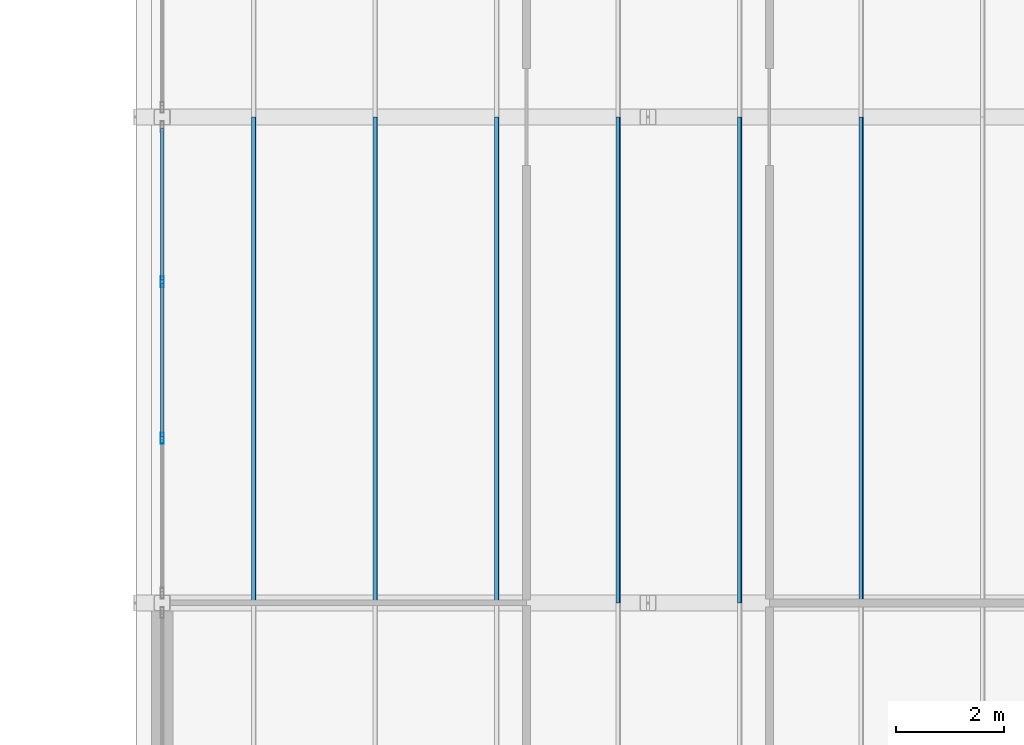
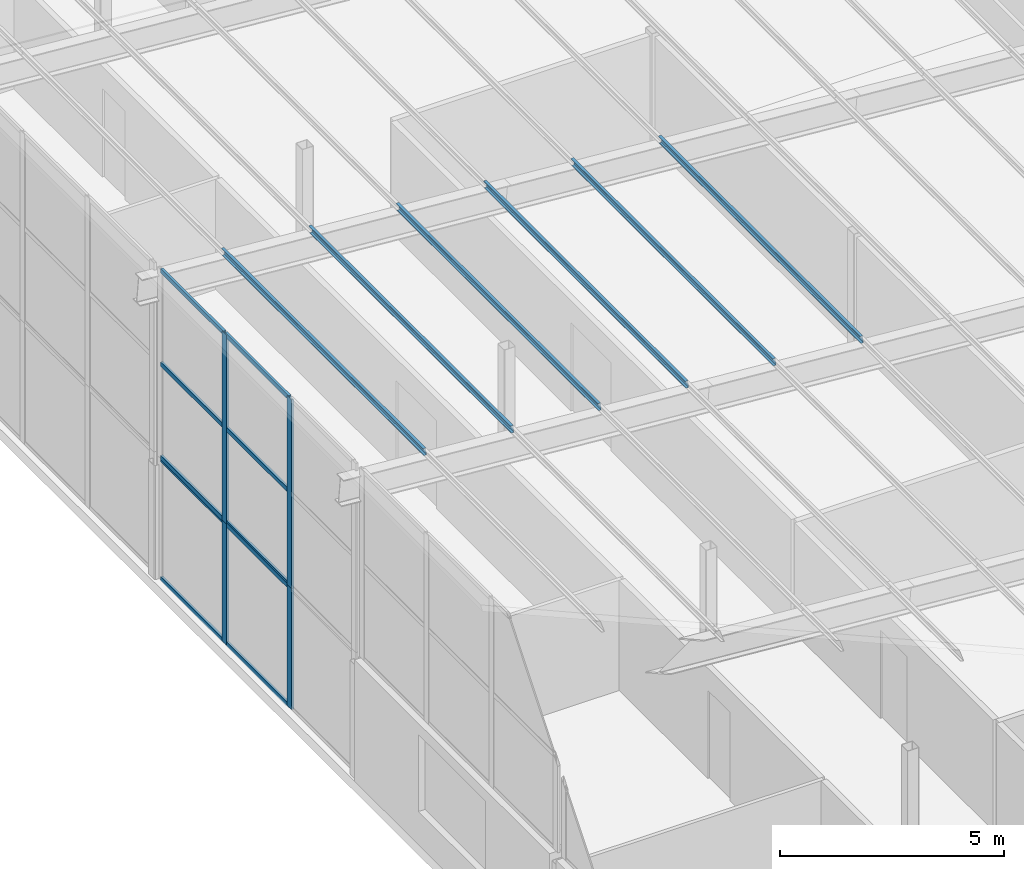
# One storey, part 31 of 85: 20 members, 2 elements without a shape of their own.
"""IFC4 building model written with IfcOpenShell, lengths in metres."""

from ifc_helpers import new_model, si_unit, direction, frame, origin, origin_2d, place, context, subcontext, project, spatial, polyline, hollow_rectangle, outline, extrude, material, layer, layer_set, material_profile, profile_set, type_object, element, aggregate, save


model = new_model("IFC4")

# Units and contexts
model_context = context("Model", 3, precision=1e-05, world=origin(), true_north=direction((0.0, 1.0)))
body_context = subcontext(model_context, "Body", "Model", "MODEL_VIEW")
ifc_project = project(units=[si_unit("LENGTHUNIT", "METRE"), si_unit("AREAUNIT", "SQUARE_METRE"), si_unit("VOLUMEUNIT", "CUBIC_METRE"), si_unit("PLANEANGLEUNIT", "RADIAN"), si_unit("MASSUNIT", "GRAM", prefix="KILO")], contexts=[model_context])

# Site, building, storey
site_placement = place(None, origin())
site = spatial("IfcSite", under=ifc_project, at=site_placement, CompositionType="ELEMENT")
building_placement = place(site_placement, origin())
building = spatial("IfcBuilding", under=site, at=building_placement, Name="Opaline Strait Convention Centre", CompositionType="ELEMENT")
storey_placement = place(building_placement, frame((0.0, 0.0, 17.0)))
storey = spatial("IfcBuildingStorey", under=building, at=storey_placement, Name="L03", CompositionType="ELEMENT", Elevation=17.0)

# Curtain wall, members
ifc_material_1 = material(Name="Aluminium framed double glazing", Category="aluminium")
ifc_layer = layer(ifc_material_1, 0.199951171875)
ifc_layer_set = layer_set([ifc_layer], Name="Aluminium framed double glazing")
curtain_wall_type = type_object("IfcCurtainWallType", Name="Curtain wall 3000 module unitised", PredefinedType="NOTDEFINED", material=ifc_layer_set)
curtain_wall_1_placement = place(storey_placement, origin())
curtain_wall_1 = element("IfcCurtainWall", 1, at=curtain_wall_1_placement, inside=storey, type_object=curtain_wall_type, Name="Curtain wall W L03 32/P", PredefinedType="NOTDEFINED")
ifc_material_2 = material(Name="Aluminium alloy 6063", Category="aluminium")
ifc_material_profile_1 = material_profile(ifc_material_2, hollow_rectangle(XDim=0.06005859375, YDim=0.199951171875, WallThickness=0.00390625, at=origin_2d()), Name="MULLION 60x200x4")
ifc_profile_set_1 = profile_set([ifc_material_profile_1], Name="Aluminium alloy 6063")
member_type_1 = type_object("IfcMemberType", Name="Curtain wall mullion 60 x 200", PredefinedType="MULLION", material=ifc_profile_set_1)
member_1_placement = place(storey_placement, frame((279.0, 120.050048828125, 0.0), z_axis=(0.0, 0.0, 1.0), x_axis=(-1.0, 0.0, 0.0)))
member_1 = element("IfcMember", 2, at=member_1_placement, type_object=member_type_1, Name="MCWR1 mullion 2", PredefinedType="MULLION", context=body_context, shape_type="SweptSolid", body=[
    extrude(hollow_rectangle(XDim=0.06005859375, YDim=0.199951171875, WallThickness=0.00390625, at=origin_2d()), origin(), (0.0, 0.0, 1.0), 3.300048828125),
])
member_2_placement = place(storey_placement, frame((279.0, 122.949951171875, 0.0), z_axis=(0.0, 0.0, 1.0), x_axis=(-1.0, 0.0, 0.0)))
member_2 = element("IfcMember", 3, at=member_2_placement, type_object=member_type_1, Name="MCWR1 mullion 3", PredefinedType="MULLION", context=body_context, shape_type="SweptSolid", body=[
    extrude(hollow_rectangle(XDim=0.06005859375, YDim=0.199951171875, WallThickness=0.00390625, at=origin_2d()), origin(), (0.0, 0.0, 1.0), 3.300048828125),
])

curtain_wall_2_placement = place(storey_placement, origin())
curtain_wall_2 = element("IfcCurtainWall", 4, at=curtain_wall_2_placement, inside=storey, type_object=curtain_wall_type, Name="Clerestory curtain wall W L03 32/P", PredefinedType="NOTDEFINED")
member_3_placement = place(storey_placement, frame((279.0, 120.050048828125, 3.300048828125), z_axis=(0.0, 0.0, 1.0), x_axis=(-1.0, 0.0, 0.0)))
member_3 = element("IfcMember", 5, at=member_3_placement, type_object=member_type_1, Name="MCWR1 mullion 2", PredefinedType="MULLION", context=body_context, shape_type="SweptSolid", body=[
    extrude(hollow_rectangle(XDim=0.06005859375, YDim=0.199951171875, WallThickness=0.00390625, at=origin_2d()), origin(), (0.0, 0.0, 1.0), 5.144287109375),
])
member_4_placement = place(storey_placement, frame((279.0, 122.949951171875, 3.300048828125), z_axis=(0.0, 0.0, 1.0), x_axis=(-1.0, 0.0, 0.0)))
member_4 = element("IfcMember", 6, at=member_4_placement, type_object=member_type_1, Name="MCWR1 mullion 3", PredefinedType="MULLION", context=body_context, shape_type="SweptSolid", body=[
    extrude(hollow_rectangle(XDim=0.06005859375, YDim=0.199951171875, WallThickness=0.00390625, at=origin_2d()), origin(), (0.0, 0.0, 1.0), 5.144287109375),
])

# Member
ifc_material_profile_2 = material_profile(ifc_material_2, hollow_rectangle(XDim=0.06005859375, YDim=0.1201171875, WallThickness=0.0029296875, at=origin_2d()), Name="TRANSOM 60x120x3")
ifc_profile_set_2 = profile_set([ifc_material_profile_2], Name="Aluminium alloy 6063")
member_type_2 = type_object("IfcMemberType", Name="Curtain wall transom 60 x 120", PredefinedType="USERDEFINED", material=ifc_profile_set_2)
member_5_placement = place(storey_placement, frame((279.0, 120.080078125, 0.030029296875), z_axis=(0.0, 1.0, 0.0), x_axis=(-1.0, 0.0, 0.0)))
member_5 = element("IfcMember", 7, at=member_5_placement, type_object=member_type_2, Name="MCWR1 transom 2.1", ObjectType="TRANSOM", PredefinedType="USERDEFINED", context=body_context, shape_type="SweptSolid", body=[
    extrude(hollow_rectangle(XDim=0.06005859375, YDim=0.1201171875, WallThickness=0.0029296875, at=origin_2d()), origin(), (0.0, 0.0, 1.0), 2.83984375),
])

member_6_placement = place(storey_placement, frame((279.0, 120.080078125, 3.27001953125), z_axis=(0.0, 1.0, 0.0), x_axis=(-1.0, 0.0, 0.0)))
member_6 = element("IfcMember", 8, at=member_6_placement, type_object=member_type_2, Name="MCWR1 transom 2.2", ObjectType="TRANSOM", PredefinedType="USERDEFINED", context=body_context, shape_type="SweptSolid", body=[
    extrude(hollow_rectangle(XDim=0.06005859375, YDim=0.1201171875, WallThickness=0.0029296875, at=origin_2d()), origin(), (0.0, 0.0, 1.0), 2.83984375),
])

member_7_placement = place(storey_placement, frame((279.0, 122.97998046875, 0.030029296875), z_axis=(0.0, 1.0, 0.0), x_axis=(-1.0, 0.0, 0.0)))
member_7 = element("IfcMember", 9, at=member_7_placement, type_object=member_type_2, Name="MCWR1 transom 3.1", ObjectType="TRANSOM", PredefinedType="USERDEFINED", context=body_context, shape_type="SweptSolid", body=[
    extrude(hollow_rectangle(XDim=0.06005859375, YDim=0.1201171875, WallThickness=0.0029296875, at=origin_2d()), origin(), (0.0, 0.0, 1.0), 2.81005859375),
])

member_8_placement = place(storey_placement, frame((279.0, 122.97998046875, 3.27001953125), z_axis=(0.0, 1.0, 0.0), x_axis=(-1.0, 0.0, 0.0)))
member_8 = element("IfcMember", 10, at=member_8_placement, type_object=member_type_2, Name="MCWR1 transom 3.2", ObjectType="TRANSOM", PredefinedType="USERDEFINED", context=body_context, shape_type="SweptSolid", body=[
    extrude(hollow_rectangle(XDim=0.06005859375, YDim=0.1201171875, WallThickness=0.0029296875, at=origin_2d()), origin(), (0.0, 0.0, 1.0), 2.81005859375),
])

aggregate(curtain_wall_1, [member_1, member_2, member_5, member_6, member_7, member_8])

member_9_placement = place(storey_placement, frame((279.0, 120.080078125, 3.330078125), z_axis=(0.0, 1.0, 0.0), x_axis=(-1.0, 0.0, 0.0)))
member_9 = element("IfcMember", 11, at=member_9_placement, type_object=member_type_2, Name="MCWR1 transom 2.1", ObjectType="TRANSOM", PredefinedType="USERDEFINED", context=body_context, shape_type="SweptSolid", body=[
    extrude(hollow_rectangle(XDim=0.06005859375, YDim=0.1201171875, WallThickness=0.0029296875, at=origin_2d()), origin(), (0.0, 0.0, 1.0), 2.83984375),
])

member_10_placement = place(storey_placement, frame((279.0, 120.080078125, 5.872314453125), z_axis=(0.0, 1.0, 0.0), x_axis=(-1.0, 0.0, 0.0)))
member_10 = element("IfcMember", 12, at=member_10_placement, type_object=member_type_2, Name="MCWR1 transom 2.2", ObjectType="TRANSOM", PredefinedType="USERDEFINED", context=body_context, shape_type="SweptSolid", body=[
    extrude(hollow_rectangle(XDim=0.06005859375, YDim=0.1201171875, WallThickness=0.0029296875, at=origin_2d()), origin(), (0.0, 0.0, 1.0), 2.83984375),
])

member_11_placement = place(storey_placement, frame((279.0, 120.080078125, 8.414306640625), z_axis=(0.0, 1.0, 0.0), x_axis=(-1.0, 0.0, 0.0)))
member_11 = element("IfcMember", 13, at=member_11_placement, type_object=member_type_2, Name="MCWR1 transom 2.3", ObjectType="TRANSOM", PredefinedType="USERDEFINED", context=body_context, shape_type="SweptSolid", body=[
    extrude(hollow_rectangle(XDim=0.06005859375, YDim=0.1201171875, WallThickness=0.0029296875, at=origin_2d()), origin(), (0.0, 0.0, 1.0), 2.83984375),
])

member_12_placement = place(storey_placement, frame((279.0, 122.97998046875, 3.330078125), z_axis=(0.0, 1.0, 0.0), x_axis=(-1.0, 0.0, 0.0)))
member_12 = element("IfcMember", 14, at=member_12_placement, type_object=member_type_2, Name="MCWR1 transom 3.1", ObjectType="TRANSOM", PredefinedType="USERDEFINED", context=body_context, shape_type="SweptSolid", body=[
    extrude(hollow_rectangle(XDim=0.06005859375, YDim=0.1201171875, WallThickness=0.0029296875, at=origin_2d()), origin(), (0.0, 0.0, 1.0), 2.81005859375),
])

member_13_placement = place(storey_placement, frame((279.0, 122.97998046875, 5.872314453125), z_axis=(0.0, 1.0, 0.0), x_axis=(-1.0, 0.0, 0.0)))
member_13 = element("IfcMember", 15, at=member_13_placement, type_object=member_type_2, Name="MCWR1 transom 3.2", ObjectType="TRANSOM", PredefinedType="USERDEFINED", context=body_context, shape_type="SweptSolid", body=[
    extrude(hollow_rectangle(XDim=0.06005859375, YDim=0.1201171875, WallThickness=0.0029296875, at=origin_2d()), origin(), (0.0, 0.0, 1.0), 2.81005859375),
])

member_14_placement = place(storey_placement, frame((279.0, 122.97998046875, 8.414306640625), z_axis=(0.0, 1.0, 0.0), x_axis=(-1.0, 0.0, 0.0)))
member_14 = element("IfcMember", 16, at=member_14_placement, type_object=member_type_2, Name="MCWR1 transom 3.3", ObjectType="TRANSOM", PredefinedType="USERDEFINED", context=body_context, shape_type="SweptSolid", body=[
    extrude(hollow_rectangle(XDim=0.06005859375, YDim=0.1201171875, WallThickness=0.0029296875, at=origin_2d()), origin(), (0.0, 0.0, 1.0), 2.81005859375),
])

aggregate(curtain_wall_2, [member_3, member_4, member_9, member_10, member_11, member_12, member_13, member_14])

# Members
ifc_material_3 = material(Name="Steel Q355B", Category="steel")
ifc_material_profile_3 = material_profile(ifc_material_3, outline(polyline([(-0.034912109375, -0.10009765625), (0.034912109375, -0.10009765625), (0.034912109375, -0.080078125), (0.032470703125, -0.080078125), (0.032470703125, -0.097412109375), (-0.032470703125, -0.097412109375), (-0.032470703125, 0.097412109375), (0.032470703125, 0.097412109375), (0.032470703125, 0.080078125), (0.034912109375, 0.080078125), (0.034912109375, 0.10009765625), (-0.034912109375, 0.10009765625), (-0.034912109375, -0.10009765625)])), Name="C 200x70x20x2.5")
ifc_profile_set_3 = profile_set([ifc_material_profile_3], Name="Steel Q355B")
member_type_3 = type_object("IfcMemberType", Name="Roof purlin C 200x70x20x2.5", PredefinedType="PURLIN", material=ifc_profile_set_3)
for number, where, z_axis, x_axis, name in (
    (17, (291.949951171875, 117.0, 7.324951171875), (0.0, 1.0, 0.0), (-0.996917333733, 0.0, -0.078459095728), "MRP1 purlin W wing 154"),
    (18, (289.699951171875, 117.0, 7.501953125), (0.0, 1.0, 0.0), (-0.996917333733, 0.0, -0.078459095728), "MRP1 purlin W wing 164"),
    (19, (287.449951171875, 117.0, 7.678955078125), (0.0, 1.0, 0.0), (-0.996917333733, 0.0, -0.078459095728), "MRP1 purlin W wing 174"),
    (20, (285.199951171875, 117.0, 7.856201171875), (0.0, 1.0, 0.0), (-0.996917333733, 0.0, -0.078459095728), "MRP1 purlin W wing 184"),
    (21, (282.949951171875, 117.0, 8.033203125), (0.0, 1.0, 0.0), (-0.996917333733, 0.0, -0.078459095728), "MRP1 purlin W wing 194"),
    (22, (280.699951171875, 117.0, 8.210205078125), (0.0, 1.0, 0.0), (-0.996917333733, 0.0, -0.078459095728), "MRP1 purlin W wing 204"),
):
    element("IfcMember", number, at=place(storey_placement, frame(where, z_axis=z_axis, x_axis=x_axis)), inside=storey, type_object=member_type_3, Name=name, PredefinedType="PURLIN", context=body_context, shape_type="SweptSolid", body=[
        extrude(outline(polyline([(-0.034912109375, -0.10009765625), (0.034912109375, -0.10009765625), (0.034912109375, -0.080078125), (0.032470703125, -0.080078125), (0.032470703125, -0.097412109375), (-0.032470703125, -0.097412109375), (-0.032470703125, 0.097412109375), (0.032470703125, 0.097412109375), (0.032470703125, 0.080078125), (0.034912109375, 0.080078125), (0.034912109375, 0.10009765625), (-0.034912109375, 0.10009765625), (-0.034912109375, -0.10009765625)])), origin(), (0.0, 0.0, 1.0), 9.0),
    ])

save(model, "model.ifc")
